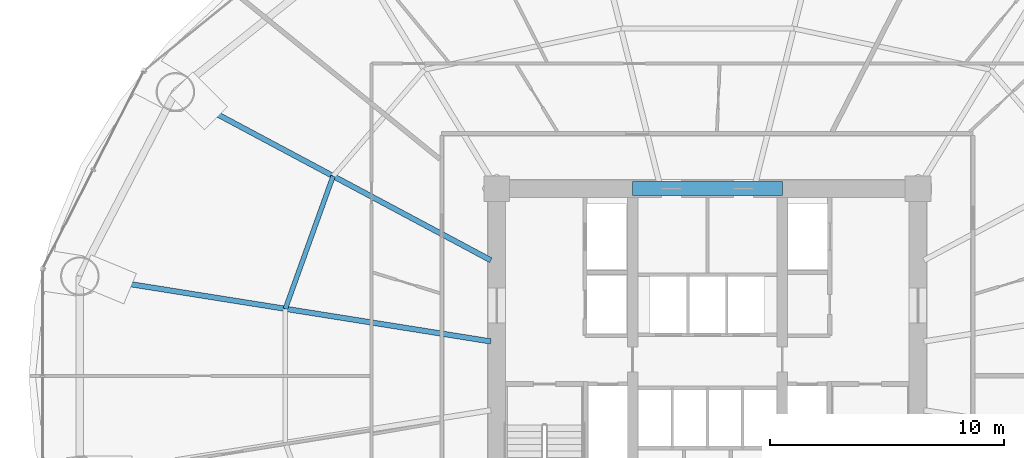
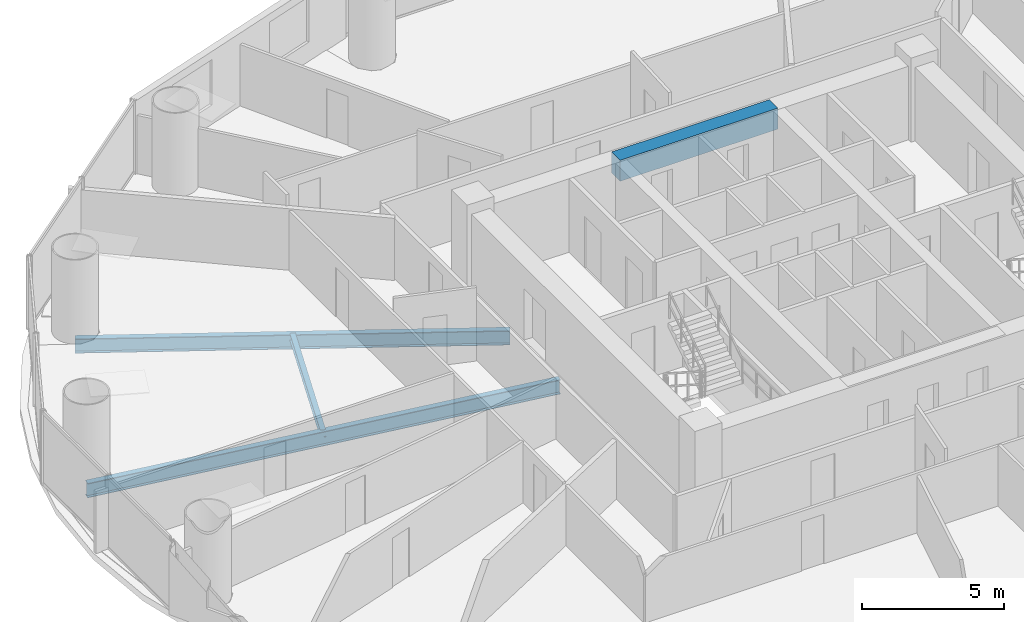
# One storey, part 9 of 29: 4 beams.
"""IFC4 building model written with IfcOpenShell, lengths in metres."""

from ifc_helpers import new_model, si_unit, direction, frame, origin, origin_2d, place, context, subcontext, project, spatial, rectangle, i_section, extrude, material, material_profile, profile_set, type_object, element, save


model = new_model("IFC4")

# Units and contexts
model_context = context("Model", 3, precision=1e-05, world=origin(), true_north=direction((-0.2419218956, 0.970295726276)))
body_context = subcontext(model_context, "Body", "Model", "MODEL_VIEW")
ifc_project = project(units=[si_unit("LENGTHUNIT", "METRE"), si_unit("AREAUNIT", "SQUARE_METRE"), si_unit("VOLUMEUNIT", "CUBIC_METRE"), si_unit("PLANEANGLEUNIT", "RADIAN"), si_unit("MASSUNIT", "GRAM", prefix="KILO")], contexts=[model_context])

# Site, building, storey
site_placement = place(None, origin())
site = spatial("IfcSite", under=ifc_project, at=site_placement, CompositionType="ELEMENT")
building_placement = place(site_placement, origin())
building = spatial("IfcBuilding", under=site, at=building_placement, Name="Cobrevalo Terracotta Tower", CompositionType="ELEMENT")
storey_placement = place(building_placement, frame((0.0, 0.0, 70.800048828125)))
storey = spatial("IfcBuildingStorey", under=building, at=storey_placement, Name="L18", CompositionType="ELEMENT", Elevation=70.800048828125)

# Beams
ifc_material_1 = material(Name="Concrete C60", Category="concrete")
ifc_material_profile_1 = material_profile(ifc_material_1, rectangle(XDim=0.60009765625, YDim=0.89990234375, at=origin_2d()), Name="RC CB 600x900")
ifc_profile_set_1 = profile_set([ifc_material_profile_1], Name="Concrete C60")
beam_type_1 = type_object("IfcBeamType", Name="Structural Beam RC CB 600x900 (Concrete C60)", PredefinedType="BEAM", material=ifc_profile_set_1)
beam_1_placement = place(storey_placement, frame((34.800048828125, 34.800048828125, 2.699951171875), z_axis=(1.0, 0.0, 0.0), x_axis=(0.0, 1.0, 0.0)))
element("IfcBeam", 1, at=beam_1_placement, inside=storey, type_object=beam_type_1, Name="L18 core coupling beam 2", PredefinedType="BEAM", context=body_context, shape_type="SweptSolid", body=[
    extrude(rectangle(XDim=0.60009765625, YDim=0.89990234375, at=origin_2d()), origin(), (0.0, 0.0, 1.0), 6.39990234375),
])
ifc_material_2 = material(Name="Steel S355", Category="steel")
ifc_material_profile_2 = material_profile(ifc_material_2, i_section(OverallWidth=0.22998046875, OverallDepth=0.616943359375, WebThickness=0.01318359375, FlangeThickness=0.022216796875, at=origin_2d()), Name="W 610x140")
ifc_profile_set_2 = profile_set([ifc_material_profile_2], Name="Steel S355")
beam_type_2 = type_object("IfcBeamType", Name="Structural Beam W 610x140 (Steel S355)", PredefinedType="BEAM", material=ifc_profile_set_2)
beam_2_placement = place(storey_placement, frame((15.25927734375, 38.939208984375, -0.588623046875), z_axis=(0.88218223571, -0.470908168329, 0.0), x_axis=(0.470908168329, 0.88218223571, 0.0)))
element("IfcBeam", 2, at=beam_2_placement, inside=storey, type_object=beam_type_2, Name="L18 radial floor girder 07", PredefinedType="BEAM", context=body_context, shape_type="SweptSolid", body=[
    extrude(i_section(OverallWidth=0.22998046875, OverallDepth=0.616943359375, WebThickness=0.01318359375, FlangeThickness=0.022216796875, at=origin_2d()), origin(), (0.0, 0.0, 1.0), 15.286865234375),
])
beam_3_placement = place(storey_placement, frame((11.175537109375, 31.062744140625, -0.588623046875), z_axis=(0.987607924622, -0.156941349628, 0.0), x_axis=(0.156941349628, 0.987607924622, 0.0)))
element("IfcBeam", 3, at=beam_3_placement, inside=storey, type_object=beam_type_2, Name="L18 radial floor girder 08", PredefinedType="BEAM", context=body_context, shape_type="SweptSolid", body=[
    extrude(i_section(OverallWidth=0.22998046875, OverallDepth=0.616943359375, WebThickness=0.01318359375, FlangeThickness=0.022216796875, at=origin_2d()), origin(), (0.0, 0.0, 1.0), 17.7900390625),
])
ifc_material_profile_3 = material_profile(ifc_material_2, i_section(OverallWidth=0.2041015625, OverallDepth=0.305908203125, WebThickness=0.008544921875, FlangeThickness=0.0146484375, at=origin_2d()), Name="W 310x67")
ifc_profile_set_3 = profile_set([ifc_material_profile_3], Name="Steel S355")
beam_type_3 = type_object("IfcBeamType", Name="Structural Joist W 310x67 (Steel S355)", PredefinedType="JOIST", material=ifc_profile_set_3)
beam_4_placement = place(storey_placement, frame((22.002197265625, 35.33984375, -0.43310546875), z_axis=(-0.338672151116, -0.940904444701, 0.0), x_axis=(0.940904444701, -0.338672151116, 0.0)))
element("IfcBeam", 4, at=beam_4_placement, inside=storey, type_object=beam_type_3, Name="L18 circumferential secondary floor joist 07", PredefinedType="JOIST", context=body_context, shape_type="SweptSolid", body=[
    extrude(i_section(OverallWidth=0.2041015625, OverallDepth=0.305908203125, WebThickness=0.008544921875, FlangeThickness=0.0146484375, at=origin_2d()), origin(), (0.0, 0.0, 1.0), 6.029296875),
])

save(model, "model.ifc")
